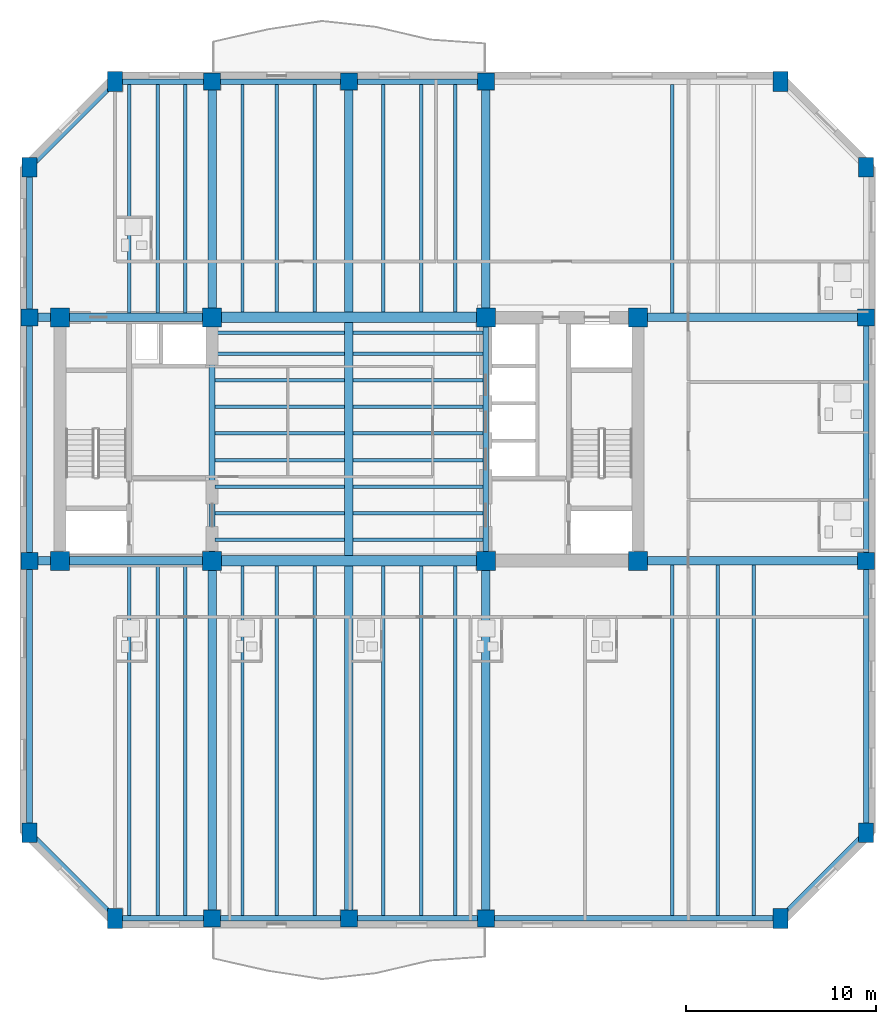
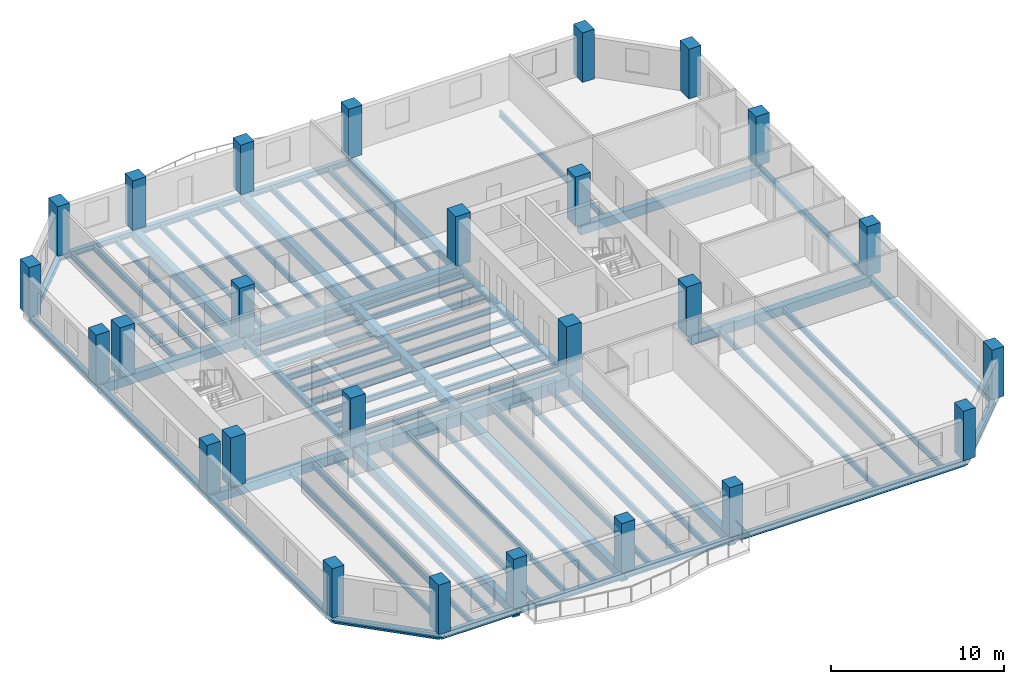
# One storey, part 1 of 10: 70 beams, 26 columns.
"""IFC4 building model written with IfcOpenShell, lengths in metres."""

from ifc_helpers import new_model, si_unit, direction, frame, origin, origin_2d, place, context, subcontext, project, spatial, rectangle, i_section, extrude, material, material_profile, profile_set, type_object, element, save


model = new_model("IFC4")

# Units and contexts
model_context = context("Model", 3, precision=1e-05, world=origin(), true_north=direction((0.0, 1.0)))
body_context = subcontext(model_context, "Body", "Model", "MODEL_VIEW")
ifc_project = project(units=[si_unit("LENGTHUNIT", "METRE"), si_unit("AREAUNIT", "SQUARE_METRE"), si_unit("VOLUMEUNIT", "CUBIC_METRE"), si_unit("PLANEANGLEUNIT", "RADIAN"), si_unit("MASSUNIT", "GRAM", prefix="KILO")], contexts=[model_context])

# Site, building, storey
site_placement = place(None, origin())
site = spatial("IfcSite", under=ifc_project, at=site_placement, CompositionType="ELEMENT")
building_placement = place(site_placement, origin())
building = spatial("IfcBuilding", under=site, at=building_placement, Name="Kranthara Brick Stack", CompositionType="ELEMENT")
storey_placement = place(building_placement, frame((0.0, 0.0, 151.800048828125)))
storey = spatial("IfcBuildingStorey", under=building, at=storey_placement, Name="L38", CompositionType="ELEMENT", Elevation=151.800048828125)

# Columns
ifc_material_1 = material(Name="Concrete C60/75", Category="concrete")
ifc_material_profile_1 = material_profile(ifc_material_1, rectangle(XDim=0.800048828125, YDim=1.050048828125, at=origin_2d()), Name="RC 800x1050")
ifc_profile_set_1 = profile_set([ifc_material_profile_1], Name="Concrete C60/75")
column_type_1 = type_object("IfcColumnType", Name="COL-CHAM-800x1050", PredefinedType="COLUMN", material=ifc_profile_set_1)
for number, where, z_axis, x_axis, name in (
    (1, (15.699951171875, 2.0, 0.0), (0.0, 0.0, 1.0), (1.0, 0.0, 0.0), "L38 Column 09"),
    (2, (15.699951171875, 46.0, 0.0), (0.0, 0.0, 1.0), (1.0, 0.0, 0.0), "L38 Column 10"),
    (3, (50.699951171875, 2.0, 0.0), (0.0, 0.0, 1.0), (1.0, 0.0, 0.0), "L38 Column 17"),
    (4, (50.699951171875, 46.0, 0.0), (0.0, 0.0, 1.0), (1.0, 0.0, 0.0), "L38 Column 18"),
    (5, (11.199951171875, 6.5, 0.0), (0.0, 0.0, 1.0), (1.0, 0.0, 0.0), "L38 Column 19"),
    (6, (55.199951171875, 6.5, 0.0), (0.0, 0.0, 1.0), (1.0, 0.0, 0.0), "L38 Column 20"),
    (7, (11.199951171875, 41.5, 0.0), (0.0, 0.0, 1.0), (1.0, 0.0, 0.0), "L38 Column 25"),
    (8, (55.199951171875, 41.5, 0.0), (0.0, 0.0, 1.0), (1.0, 0.0, 0.0), "L38 Column 26"),
):
    element("IfcColumn", number, at=place(storey_placement, frame(where, z_axis=z_axis, x_axis=x_axis)), inside=storey, type_object=column_type_1, Name=name, PredefinedType="COLUMN", context=body_context, shape_type="SweptSolid", body=[
        extrude(rectangle(XDim=0.800048828125, YDim=1.050048828125, at=origin_2d()), origin(), (0.0, 0.0, 1.0), 3.5),
    ])
ifc_material_2 = material(Name="Concrete C60/75", Category="concrete")
ifc_material_profile_2 = material_profile(ifc_material_2, rectangle(XDim=1.0, YDim=1.0, at=origin_2d()), Name="RC 1000x1000")
ifc_profile_set_2 = profile_set([ifc_material_profile_2], Name="Concrete C60/75")
column_type_2 = type_object("IfcColumnType", Name="COL-CORE-1000", PredefinedType="COLUMN", material=ifc_profile_set_2)
for number, where, z_axis, x_axis, name in (
    (9, (12.800048828125, 20.800048828125, 0.0), (0.0, 0.0, 1.0), (1.0, 0.0, 0.0), "L38 Column 01"),
    (10, (20.800048828125, 20.800048828125, 0.0), (0.0, 0.0, 1.0), (1.0, 0.0, 0.0), "L38 Column 02"),
    (11, (12.800048828125, 33.60009765625, 0.0), (0.0, 0.0, 1.0), (1.0, 0.0, 0.0), "L38 Column 03"),
    (12, (20.800048828125, 33.60009765625, 0.0), (0.0, 0.0, 1.0), (1.0, 0.0, 0.0), "L38 Column 04"),
    (13, (35.199951171875, 20.800048828125, 0.0), (0.0, 0.0, 1.0), (1.0, 0.0, 0.0), "L38 Column 05"),
    (14, (43.199951171875, 20.800048828125, 0.0), (0.0, 0.0, 1.0), (1.0, 0.0, 0.0), "L38 Column 06"),
    (15, (35.199951171875, 33.60009765625, 0.0), (0.0, 0.0, 1.0), (1.0, 0.0, 0.0), "L38 Column 07"),
    (16, (43.199951171875, 33.60009765625, 0.0), (0.0, 0.0, 1.0), (1.0, 0.0, 0.0), "L38 Column 08"),
):
    element("IfcColumn", number, at=place(storey_placement, frame(where, z_axis=z_axis, x_axis=x_axis)), inside=storey, type_object=column_type_2, Name=name, PredefinedType="COLUMN", context=body_context, shape_type="SweptSolid", body=[
        extrude(rectangle(XDim=1.0, YDim=1.0, at=origin_2d()), origin(), (0.0, 0.0, 1.0), 3.5),
    ])
ifc_material_3 = material(Name="Concrete C60/75", Category="concrete")
ifc_material_profile_3 = material_profile(ifc_material_3, rectangle(XDim=0.89990234375, YDim=0.89990234375, at=origin_2d()), Name="RC 900x900")
ifc_profile_set_3 = profile_set([ifc_material_profile_3], Name="Concrete C60/75")
column_type_3 = type_object("IfcColumnType", Name="COL-PER-900", PredefinedType="COLUMN", material=ifc_profile_set_3)
for number, where, z_axis, x_axis, name in (
    (17, (20.800048828125, 2.0, 0.0), (0.0, 0.0, 1.0), (1.0, 0.0, 0.0), "L38 Column 11"),
    (18, (20.800048828125, 46.0, 0.0), (0.0, 0.0, 1.0), (1.0, 0.0, 0.0), "L38 Column 12"),
    (19, (28.0, 2.0, 0.0), (0.0, 0.0, 1.0), (1.0, 0.0, 0.0), "L38 Column 13"),
    (20, (28.0, 46.0, 0.0), (0.0, 0.0, 1.0), (1.0, 0.0, 0.0), "L38 Column 14"),
    (21, (35.199951171875, 2.0, 0.0), (0.0, 0.0, 1.0), (1.0, 0.0, 0.0), "L38 Column 15"),
    (22, (35.199951171875, 46.0, 0.0), (0.0, 0.0, 1.0), (1.0, 0.0, 0.0), "L38 Column 16"),
    (23, (11.199951171875, 20.800048828125, 0.0), (0.0, 0.0, 1.0), (1.0, 0.0, 0.0), "L38 Column 21"),
    (24, (55.199951171875, 20.800048828125, 0.0), (0.0, 0.0, 1.0), (1.0, 0.0, 0.0), "L38 Column 22"),
    (25, (11.199951171875, 33.60009765625, 0.0), (0.0, 0.0, 1.0), (1.0, 0.0, 0.0), "L38 Column 23"),
    (26, (55.199951171875, 33.60009765625, 0.0), (0.0, 0.0, 1.0), (1.0, 0.0, 0.0), "L38 Column 24"),
):
    element("IfcColumn", number, at=place(storey_placement, frame(where, z_axis=z_axis, x_axis=x_axis)), inside=storey, type_object=column_type_3, Name=name, PredefinedType="COLUMN", context=body_context, shape_type="SweptSolid", body=[
        extrude(rectangle(XDim=0.89990234375, YDim=0.89990234375, at=origin_2d()), origin(), (0.0, 0.0, 1.0), 3.5),
    ])

# Beams
ifc_material_4 = material(Name="Concrete C50/60", Category="concrete")
ifc_material_profile_4 = material_profile(ifc_material_4, rectangle(XDim=0.550048828125, YDim=0.85009765625, at=origin_2d()), Name="RC 550x850")
ifc_profile_set_4 = profile_set([ifc_material_profile_4], Name="Concrete C50/60")
beam_type_1 = type_object("IfcBeamType", Name="BM-CPL-RC850", PredefinedType="LINTEL", material=ifc_profile_set_4)
for number, where, z_axis, x_axis, name in (
    (27, (20.800048828125, 20.800048828125, -0.72509765625), (1.0, 0.0, 0.0), (0.0, 1.0, 0.0), "L38 Core Coupling Beam 001"),
    (28, (20.800048828125, 33.60009765625, -0.72509765625), (1.0, 0.0, 0.0), (0.0, 1.0, 0.0), "L38 Core Coupling Beam 002"),
):
    element("IfcBeam", number, at=place(storey_placement, frame(where, z_axis=z_axis, x_axis=x_axis)), inside=storey, type_object=beam_type_1, Name=name, PredefinedType="LINTEL", context=body_context, shape_type="SweptSolid", body=[
        extrude(rectangle(XDim=0.550048828125, YDim=0.85009765625, at=origin_2d()), origin(), (0.0, 0.0, 1.0), 14.39990234375),
    ])
ifc_material_5 = material(Name="Post-tensioned concrete C45/55", Category="concrete")
ifc_material_profile_5 = material_profile(ifc_material_5, rectangle(XDim=0.449951171875, YDim=0.64990234375, at=origin_2d()), Name="PT 450x650")
ifc_profile_set_5 = profile_set([ifc_material_profile_5], Name="Post-tensioned concrete C45/55")
beam_type_2 = type_object("IfcBeamType", Name="BM-FLR-PT650", PredefinedType="BEAM", material=ifc_profile_set_5)
beam_1_placement = place(storey_placement, frame((20.800048828125, 2.0, -0.625), z_axis=(0.0, 1.0, 0.0), x_axis=(-1.0, 0.0, 0.0)))
element("IfcBeam", 29, at=beam_1_placement, inside=storey, type_object=beam_type_2, Name="L38 Primary Grid Girder 023", PredefinedType="BEAM", context=body_context, shape_type="SweptSolid", body=[
    extrude(rectangle(XDim=0.449951171875, YDim=0.64990234375, at=origin_2d()), origin(), (0.0, 0.0, 1.0), 18.800048828125),
])
beam_2_placement = place(storey_placement, frame((20.800048828125, 33.60009765625, -0.625), z_axis=(0.0, 1.0, 0.0), x_axis=(-1.0, 0.0, 0.0)))
element("IfcBeam", 30, at=beam_2_placement, inside=storey, type_object=beam_type_2, Name="L38 Primary Grid Girder 024", PredefinedType="BEAM", context=body_context, shape_type="SweptSolid", body=[
    extrude(rectangle(XDim=0.449951171875, YDim=0.64990234375, at=origin_2d()), origin(), (0.0, 0.0, 1.0), 12.39990234375),
])
beam_3_placement = place(storey_placement, frame((28.0, 2.0, -0.625), z_axis=(0.0, 1.0, 0.0), x_axis=(-1.0, 0.0, 0.0)))
element("IfcBeam", 31, at=beam_3_placement, inside=storey, type_object=beam_type_2, Name="L38 Primary Grid Girder 025", PredefinedType="BEAM", context=body_context, shape_type="SweptSolid", body=[
    extrude(rectangle(XDim=0.449951171875, YDim=0.64990234375, at=origin_2d()), origin(), (0.0, 0.0, 1.0), 18.52490234375),
])
beam_4_placement = place(storey_placement, frame((28.0, 21.074951171875, -0.625), z_axis=(0.0, 1.0, 0.0), x_axis=(-1.0, 0.0, 0.0)))
element("IfcBeam", 32, at=beam_4_placement, inside=storey, type_object=beam_type_2, Name="L38 Central Spine Girder 026", PredefinedType="BEAM", context=body_context, shape_type="SweptSolid", body=[
    extrude(rectangle(XDim=0.449951171875, YDim=0.64990234375, at=origin_2d()), origin(), (0.0, 0.0, 1.0), 12.25),
])
beam_5_placement = place(storey_placement, frame((28.0, 33.875, -0.625), z_axis=(0.0, 1.0, 0.0), x_axis=(-1.0, 0.0, 0.0)))
element("IfcBeam", 33, at=beam_5_placement, inside=storey, type_object=beam_type_2, Name="L38 Primary Grid Girder 027", PredefinedType="BEAM", context=body_context, shape_type="SweptSolid", body=[
    extrude(rectangle(XDim=0.449951171875, YDim=0.64990234375, at=origin_2d()), origin(), (0.0, 0.0, 1.0), 12.125),
])
beam_6_placement = place(storey_placement, frame((35.199951171875, 2.0, -0.625), z_axis=(0.0, 1.0, 0.0), x_axis=(-1.0, 0.0, 0.0)))
element("IfcBeam", 34, at=beam_6_placement, inside=storey, type_object=beam_type_2, Name="L38 Primary Grid Girder 028", PredefinedType="BEAM", context=body_context, shape_type="SweptSolid", body=[
    extrude(rectangle(XDim=0.449951171875, YDim=0.64990234375, at=origin_2d()), origin(), (0.0, 0.0, 1.0), 18.800048828125),
])
beam_7_placement = place(storey_placement, frame((35.199951171875, 33.60009765625, -0.625), z_axis=(0.0, 1.0, 0.0), x_axis=(-1.0, 0.0, 0.0)))
element("IfcBeam", 35, at=beam_7_placement, inside=storey, type_object=beam_type_2, Name="L38 Primary Grid Girder 029", PredefinedType="BEAM", context=body_context, shape_type="SweptSolid", body=[
    extrude(rectangle(XDim=0.449951171875, YDim=0.64990234375, at=origin_2d()), origin(), (0.0, 0.0, 1.0), 12.39990234375),
])
beam_8_placement = place(storey_placement, frame((11.199951171875, 20.800048828125, -0.625), z_axis=(1.0, 0.0, 0.0), x_axis=(0.0, 1.0, 0.0)))
element("IfcBeam", 36, at=beam_8_placement, inside=storey, type_object=beam_type_2, Name="L38 Primary Grid Girder 030", PredefinedType="BEAM", context=body_context, shape_type="SweptSolid", body=[
    extrude(rectangle(XDim=0.449951171875, YDim=0.64990234375, at=origin_2d()), origin(), (0.0, 0.0, 1.0), 9.60009765625),
])
beam_9_placement = place(storey_placement, frame((43.199951171875, 20.800048828125, -0.625), z_axis=(1.0, 0.0, 0.0), x_axis=(0.0, 1.0, 0.0)))
element("IfcBeam", 37, at=beam_9_placement, inside=storey, type_object=beam_type_2, Name="L38 Primary Grid Girder 031", PredefinedType="BEAM", context=body_context, shape_type="SweptSolid", body=[
    extrude(rectangle(XDim=0.449951171875, YDim=0.64990234375, at=origin_2d()), origin(), (0.0, 0.0, 1.0), 12.0),
])
beam_10_placement = place(storey_placement, frame((11.199951171875, 33.60009765625, -0.625), z_axis=(1.0, 0.0, 0.0), x_axis=(0.0, 1.0, 0.0)))
element("IfcBeam", 38, at=beam_10_placement, inside=storey, type_object=beam_type_2, Name="L38 Primary Grid Girder 032", PredefinedType="BEAM", context=body_context, shape_type="SweptSolid", body=[
    extrude(rectangle(XDim=0.449951171875, YDim=0.64990234375, at=origin_2d()), origin(), (0.0, 0.0, 1.0), 9.60009765625),
])
beam_11_placement = place(storey_placement, frame((43.199951171875, 33.60009765625, -0.625), z_axis=(1.0, 0.0, 0.0), x_axis=(0.0, 1.0, 0.0)))
element("IfcBeam", 39, at=beam_11_placement, inside=storey, type_object=beam_type_2, Name="L38 Primary Grid Girder 033", PredefinedType="BEAM", context=body_context, shape_type="SweptSolid", body=[
    extrude(rectangle(XDim=0.449951171875, YDim=0.64990234375, at=origin_2d()), origin(), (0.0, 0.0, 1.0), 12.0),
])
ifc_material_6 = material(Name="Steel S355", Category="steel")
ifc_material_profile_6 = material_profile(ifc_material_6, i_section(OverallWidth=0.179931640625, OverallDepth=0.39990234375, WebThickness=0.008544921875, FlangeThickness=0.013427734375, at=origin_2d()), Name="IPE 400")
ifc_profile_set_6 = profile_set([ifc_material_profile_6], Name="Steel S355")
beam_type_3 = type_object("IfcBeamType", Name="BM-JST-IPE400", PredefinedType="JOIST", material=ifc_profile_set_6)
for number, where, z_axis, x_axis, name in (
    (40, (20.949951171875, 21.89990234375, -0.5), (1.0, 0.0, 0.0), (0.0, 1.0, 0.0), "L38 Central Floor Joist 034"),
    (41, (28.22509765625, 21.89990234375, -0.5), (1.0, 0.0, 0.0), (0.0, 1.0, 0.0), "L38 Central Floor Joist 035"),
    (42, (20.949951171875, 23.300048828125, -0.5), (1.0, 0.0, 0.0), (0.0, 1.0, 0.0), "L38 Central Floor Joist 036"),
    (43, (28.22509765625, 23.300048828125, -0.5), (1.0, 0.0, 0.0), (0.0, 1.0, 0.0), "L38 Central Floor Joist 037"),
    (44, (20.949951171875, 24.699951171875, -0.5), (1.0, 0.0, 0.0), (0.0, 1.0, 0.0), "L38 Central Floor Joist 038"),
    (45, (28.22509765625, 24.699951171875, -0.5), (1.0, 0.0, 0.0), (0.0, 1.0, 0.0), "L38 Central Floor Joist 039"),
    (46, (20.949951171875, 26.10009765625, -0.5), (1.0, 0.0, 0.0), (0.0, 1.0, 0.0), "L38 Central Floor Joist 040"),
    (47, (28.22509765625, 26.10009765625, -0.5), (1.0, 0.0, 0.0), (0.0, 1.0, 0.0), "L38 Central Floor Joist 041"),
    (48, (20.949951171875, 27.5, -0.5), (1.0, 0.0, 0.0), (0.0, 1.0, 0.0), "L38 Central Floor Joist 042"),
    (49, (28.22509765625, 27.5, -0.5), (1.0, 0.0, 0.0), (0.0, 1.0, 0.0), "L38 Central Floor Joist 043"),
    (50, (20.949951171875, 28.89990234375, -0.5), (1.0, 0.0, 0.0), (0.0, 1.0, 0.0), "L38 Central Floor Joist 044"),
    (51, (28.22509765625, 28.89990234375, -0.5), (1.0, 0.0, 0.0), (0.0, 1.0, 0.0), "L38 Central Floor Joist 045"),
    (52, (20.949951171875, 30.300048828125, -0.5), (1.0, 0.0, 0.0), (0.0, 1.0, 0.0), "L38 Central Floor Joist 046"),
    (53, (28.22509765625, 30.300048828125, -0.5), (1.0, 0.0, 0.0), (0.0, 1.0, 0.0), "L38 Central Floor Joist 047"),
    (54, (20.949951171875, 31.699951171875, -0.5), (1.0, 0.0, 0.0), (0.0, 1.0, 0.0), "L38 Central Floor Joist 048"),
    (55, (28.22509765625, 31.699951171875, -0.5), (1.0, 0.0, 0.0), (0.0, 1.0, 0.0), "L38 Central Floor Joist 049"),
    (56, (20.949951171875, 32.800048828125, -0.5), (1.0, 0.0, 0.0), (0.0, 1.0, 0.0), "L38 Central Floor Joist 050"),
    (57, (28.22509765625, 32.800048828125, -0.5), (1.0, 0.0, 0.0), (0.0, 1.0, 0.0), "L38 Central Floor Joist 051"),
):
    element("IfcBeam", number, at=place(storey_placement, frame(where, z_axis=z_axis, x_axis=x_axis)), inside=storey, type_object=beam_type_3, Name=name, PredefinedType="JOIST", context=body_context, shape_type="SweptSolid", body=[
        extrude(i_section(OverallWidth=0.179931640625, OverallDepth=0.39990234375, WebThickness=0.008544921875, FlangeThickness=0.013427734375, at=origin_2d()), origin(), (0.0, 0.0, 1.0), 6.824951171875),
    ])
beam_12_placement = place(storey_placement, frame((16.449951171875, 2.14990234375, -0.5), z_axis=(0.0, 1.0, 0.0), x_axis=(-1.0, 0.0, 0.0)))
element("IfcBeam", 58, at=beam_12_placement, inside=storey, type_object=beam_type_3, Name="L38 South Wing Floor Joist 052", PredefinedType="JOIST", context=body_context, shape_type="SweptSolid", body=[
    extrude(i_section(OverallWidth=0.179931640625, OverallDepth=0.39990234375, WebThickness=0.008544921875, FlangeThickness=0.013427734375, at=origin_2d()), origin(), (0.0, 0.0, 1.0), 18.425048828125),
])
beam_13_placement = place(storey_placement, frame((16.449951171875, 33.824951171875, -0.5), z_axis=(0.0, 1.0, 0.0), x_axis=(-1.0, 0.0, 0.0)))
element("IfcBeam", 59, at=beam_13_placement, inside=storey, type_object=beam_type_3, Name="L38 North Wing Floor Joist 053", PredefinedType="JOIST", context=body_context, shape_type="SweptSolid", body=[
    extrude(i_section(OverallWidth=0.179931640625, OverallDepth=0.39990234375, WebThickness=0.008544921875, FlangeThickness=0.013427734375, at=origin_2d()), origin(), (0.0, 0.0, 1.0), 12.025146484375),
])
beam_14_placement = place(storey_placement, frame((17.949951171875, 2.14990234375, -0.5), z_axis=(0.0, 1.0, 0.0), x_axis=(-1.0, 0.0, 0.0)))
element("IfcBeam", 60, at=beam_14_placement, inside=storey, type_object=beam_type_3, Name="L38 South Wing Floor Joist 054", PredefinedType="JOIST", context=body_context, shape_type="SweptSolid", body=[
    extrude(i_section(OverallWidth=0.179931640625, OverallDepth=0.39990234375, WebThickness=0.008544921875, FlangeThickness=0.013427734375, at=origin_2d()), origin(), (0.0, 0.0, 1.0), 18.425048828125),
])
beam_15_placement = place(storey_placement, frame((17.949951171875, 33.824951171875, -0.5), z_axis=(0.0, 1.0, 0.0), x_axis=(-1.0, 0.0, 0.0)))
element("IfcBeam", 61, at=beam_15_placement, inside=storey, type_object=beam_type_3, Name="L38 North Wing Floor Joist 055", PredefinedType="JOIST", context=body_context, shape_type="SweptSolid", body=[
    extrude(i_section(OverallWidth=0.179931640625, OverallDepth=0.39990234375, WebThickness=0.008544921875, FlangeThickness=0.013427734375, at=origin_2d()), origin(), (0.0, 0.0, 1.0), 12.025146484375),
])
beam_16_placement = place(storey_placement, frame((19.39990234375, 2.14990234375, -0.5), z_axis=(0.0, 1.0, 0.0), x_axis=(-1.0, 0.0, 0.0)))
element("IfcBeam", 62, at=beam_16_placement, inside=storey, type_object=beam_type_3, Name="L38 South Wing Floor Joist 056", PredefinedType="JOIST", context=body_context, shape_type="SweptSolid", body=[
    extrude(i_section(OverallWidth=0.179931640625, OverallDepth=0.39990234375, WebThickness=0.008544921875, FlangeThickness=0.013427734375, at=origin_2d()), origin(), (0.0, 0.0, 1.0), 18.425048828125),
])
beam_17_placement = place(storey_placement, frame((19.39990234375, 33.824951171875, -0.5), z_axis=(0.0, 1.0, 0.0), x_axis=(-1.0, 0.0, 0.0)))
element("IfcBeam", 63, at=beam_17_placement, inside=storey, type_object=beam_type_3, Name="L38 North Wing Floor Joist 057", PredefinedType="JOIST", context=body_context, shape_type="SweptSolid", body=[
    extrude(i_section(OverallWidth=0.179931640625, OverallDepth=0.39990234375, WebThickness=0.008544921875, FlangeThickness=0.013427734375, at=origin_2d()), origin(), (0.0, 0.0, 1.0), 12.025146484375),
])
beam_18_placement = place(storey_placement, frame((22.39990234375, 2.14990234375, -0.5), z_axis=(0.0, 1.0, 0.0), x_axis=(-1.0, 0.0, 0.0)))
element("IfcBeam", 64, at=beam_18_placement, inside=storey, type_object=beam_type_3, Name="L38 South Wing Floor Joist 058", PredefinedType="JOIST", context=body_context, shape_type="SweptSolid", body=[
    extrude(i_section(OverallWidth=0.179931640625, OverallDepth=0.39990234375, WebThickness=0.008544921875, FlangeThickness=0.013427734375, at=origin_2d()), origin(), (0.0, 0.0, 1.0), 18.375),
])
beam_19_placement = place(storey_placement, frame((22.39990234375, 33.875, -0.5), z_axis=(0.0, 1.0, 0.0), x_axis=(-1.0, 0.0, 0.0)))
element("IfcBeam", 65, at=beam_19_placement, inside=storey, type_object=beam_type_3, Name="L38 North Wing Floor Joist 059", PredefinedType="JOIST", context=body_context, shape_type="SweptSolid", body=[
    extrude(i_section(OverallWidth=0.179931640625, OverallDepth=0.39990234375, WebThickness=0.008544921875, FlangeThickness=0.013427734375, at=origin_2d()), origin(), (0.0, 0.0, 1.0), 11.97509765625),
])
beam_20_placement = place(storey_placement, frame((24.199951171875, 2.14990234375, -0.5), z_axis=(0.0, 1.0, 0.0), x_axis=(-1.0, 0.0, 0.0)))
element("IfcBeam", 66, at=beam_20_placement, inside=storey, type_object=beam_type_3, Name="L38 South Wing Floor Joist 060", PredefinedType="JOIST", context=body_context, shape_type="SweptSolid", body=[
    extrude(i_section(OverallWidth=0.179931640625, OverallDepth=0.39990234375, WebThickness=0.008544921875, FlangeThickness=0.013427734375, at=origin_2d()), origin(), (0.0, 0.0, 1.0), 18.375),
])
beam_21_placement = place(storey_placement, frame((24.199951171875, 33.875, -0.5), z_axis=(0.0, 1.0, 0.0), x_axis=(-1.0, 0.0, 0.0)))
element("IfcBeam", 67, at=beam_21_placement, inside=storey, type_object=beam_type_3, Name="L38 North Wing Floor Joist 061", PredefinedType="JOIST", context=body_context, shape_type="SweptSolid", body=[
    extrude(i_section(OverallWidth=0.179931640625, OverallDepth=0.39990234375, WebThickness=0.008544921875, FlangeThickness=0.013427734375, at=origin_2d()), origin(), (0.0, 0.0, 1.0), 11.97509765625),
])
beam_22_placement = place(storey_placement, frame((26.199951171875, 2.14990234375, -0.5), z_axis=(0.0, 1.0, 0.0), x_axis=(-1.0, 0.0, 0.0)))
element("IfcBeam", 68, at=beam_22_placement, inside=storey, type_object=beam_type_3, Name="L38 South Wing Floor Joist 062", PredefinedType="JOIST", context=body_context, shape_type="SweptSolid", body=[
    extrude(i_section(OverallWidth=0.179931640625, OverallDepth=0.39990234375, WebThickness=0.008544921875, FlangeThickness=0.013427734375, at=origin_2d()), origin(), (0.0, 0.0, 1.0), 18.375),
])
beam_23_placement = place(storey_placement, frame((26.199951171875, 33.875, -0.5), z_axis=(0.0, 1.0, 0.0), x_axis=(-1.0, 0.0, 0.0)))
element("IfcBeam", 69, at=beam_23_placement, inside=storey, type_object=beam_type_3, Name="L38 North Wing Floor Joist 063", PredefinedType="JOIST", context=body_context, shape_type="SweptSolid", body=[
    extrude(i_section(OverallWidth=0.179931640625, OverallDepth=0.39990234375, WebThickness=0.008544921875, FlangeThickness=0.013427734375, at=origin_2d()), origin(), (0.0, 0.0, 1.0), 11.97509765625),
])
beam_24_placement = place(storey_placement, frame((29.800048828125, 2.14990234375, -0.5), z_axis=(0.0, 1.0, 0.0), x_axis=(-1.0, 0.0, 0.0)))
element("IfcBeam", 70, at=beam_24_placement, inside=storey, type_object=beam_type_3, Name="L38 South Wing Floor Joist 064", PredefinedType="JOIST", context=body_context, shape_type="SweptSolid", body=[
    extrude(i_section(OverallWidth=0.179931640625, OverallDepth=0.39990234375, WebThickness=0.008544921875, FlangeThickness=0.013427734375, at=origin_2d()), origin(), (0.0, 0.0, 1.0), 18.375),
])
beam_25_placement = place(storey_placement, frame((29.800048828125, 33.875, -0.5), z_axis=(0.0, 1.0, 0.0), x_axis=(-1.0, 0.0, 0.0)))
element("IfcBeam", 71, at=beam_25_placement, inside=storey, type_object=beam_type_3, Name="L38 North Wing Floor Joist 065", PredefinedType="JOIST", context=body_context, shape_type="SweptSolid", body=[
    extrude(i_section(OverallWidth=0.179931640625, OverallDepth=0.39990234375, WebThickness=0.008544921875, FlangeThickness=0.013427734375, at=origin_2d()), origin(), (0.0, 0.0, 1.0), 11.97509765625),
])
beam_26_placement = place(storey_placement, frame((31.800048828125, 2.14990234375, -0.5), z_axis=(0.0, 1.0, 0.0), x_axis=(-1.0, 0.0, 0.0)))
element("IfcBeam", 72, at=beam_26_placement, inside=storey, type_object=beam_type_3, Name="L38 South Wing Floor Joist 066", PredefinedType="JOIST", context=body_context, shape_type="SweptSolid", body=[
    extrude(i_section(OverallWidth=0.179931640625, OverallDepth=0.39990234375, WebThickness=0.008544921875, FlangeThickness=0.013427734375, at=origin_2d()), origin(), (0.0, 0.0, 1.0), 18.375),
])
beam_27_placement = place(storey_placement, frame((31.800048828125, 33.875, -0.5), z_axis=(0.0, 1.0, 0.0), x_axis=(-1.0, 0.0, 0.0)))
element("IfcBeam", 73, at=beam_27_placement, inside=storey, type_object=beam_type_3, Name="L38 North Wing Floor Joist 067", PredefinedType="JOIST", context=body_context, shape_type="SweptSolid", body=[
    extrude(i_section(OverallWidth=0.179931640625, OverallDepth=0.39990234375, WebThickness=0.008544921875, FlangeThickness=0.013427734375, at=origin_2d()), origin(), (0.0, 0.0, 1.0), 11.97509765625),
])
beam_28_placement = place(storey_placement, frame((33.60009765625, 2.14990234375, -0.5), z_axis=(0.0, 1.0, 0.0), x_axis=(-1.0, 0.0, 0.0)))
element("IfcBeam", 74, at=beam_28_placement, inside=storey, type_object=beam_type_3, Name="L38 South Wing Floor Joist 068", PredefinedType="JOIST", context=body_context, shape_type="SweptSolid", body=[
    extrude(i_section(OverallWidth=0.179931640625, OverallDepth=0.39990234375, WebThickness=0.008544921875, FlangeThickness=0.013427734375, at=origin_2d()), origin(), (0.0, 0.0, 1.0), 18.375),
])
beam_29_placement = place(storey_placement, frame((33.60009765625, 33.875, -0.5), z_axis=(0.0, 1.0, 0.0), x_axis=(-1.0, 0.0, 0.0)))
element("IfcBeam", 75, at=beam_29_placement, inside=storey, type_object=beam_type_3, Name="L38 North Wing Floor Joist 069", PredefinedType="JOIST", context=body_context, shape_type="SweptSolid", body=[
    extrude(i_section(OverallWidth=0.179931640625, OverallDepth=0.39990234375, WebThickness=0.008544921875, FlangeThickness=0.013427734375, at=origin_2d()), origin(), (0.0, 0.0, 1.0), 11.97509765625),
])
beam_30_placement = place(storey_placement, frame((45.0, 2.14990234375, -0.5), z_axis=(0.0, 1.0, 0.0), x_axis=(-1.0, 0.0, 0.0)))
element("IfcBeam", 76, at=beam_30_placement, inside=storey, type_object=beam_type_3, Name="L38 South Wing Floor Joist 070", PredefinedType="JOIST", context=body_context, shape_type="SweptSolid", body=[
    extrude(i_section(OverallWidth=0.179931640625, OverallDepth=0.39990234375, WebThickness=0.008544921875, FlangeThickness=0.013427734375, at=origin_2d()), origin(), (0.0, 0.0, 1.0), 18.425048828125),
])
beam_31_placement = place(storey_placement, frame((45.0, 33.824951171875, -0.5), z_axis=(0.0, 1.0, 0.0), x_axis=(-1.0, 0.0, 0.0)))
element("IfcBeam", 77, at=beam_31_placement, inside=storey, type_object=beam_type_3, Name="L38 North Wing Floor Joist 071", PredefinedType="JOIST", context=body_context, shape_type="SweptSolid", body=[
    extrude(i_section(OverallWidth=0.179931640625, OverallDepth=0.39990234375, WebThickness=0.008544921875, FlangeThickness=0.013427734375, at=origin_2d()), origin(), (0.0, 0.0, 1.0), 12.025146484375),
])
for number, where, z_axis, x_axis, name in (
    (78, (47.39990234375, 2.14990234375, -0.5), (0.0, 1.0, 0.0), (-1.0, 0.0, 0.0), "L38 South Wing Floor Joist 072"),
    (79, (49.300048828125, 2.14990234375, -0.5), (0.0, 1.0, 0.0), (-1.0, 0.0, 0.0), "L38 South Wing Floor Joist 074"),
):
    element("IfcBeam", number, at=place(storey_placement, frame(where, z_axis=z_axis, x_axis=x_axis)), inside=storey, type_object=beam_type_3, Name=name, PredefinedType="JOIST", context=body_context, shape_type="SweptSolid", body=[
        extrude(i_section(OverallWidth=0.179931640625, OverallDepth=0.39990234375, WebThickness=0.008544921875, FlangeThickness=0.013427734375, at=origin_2d()), origin(), (0.0, 0.0, 1.0), 18.425048828125),
    ])
ifc_material_7 = material(Name="Steel S355", Category="steel")
ifc_material_profile_7 = material_profile(ifc_material_7, i_section(OverallWidth=0.300048828125, OverallDepth=0.39990234375, WebThickness=0.013427734375, FlangeThickness=0.02392578125, at=origin_2d()), Name="HEB 400")
ifc_profile_set_7 = profile_set([ifc_material_profile_7], Name="Steel S355")
beam_type_4 = type_object("IfcBeamType", Name="BM-STL-HEB400", PredefinedType="SPANDREL", material=ifc_profile_set_7)
beam_32_placement = place(storey_placement, frame((15.699951171875, 2.0, -0.5), z_axis=(1.0, 0.0, 0.0), x_axis=(0.0, 1.0, 0.0)))
element("IfcBeam", 80, at=beam_32_placement, inside=storey, type_object=beam_type_4, Name="L38 Perimeter Spandrel Beam 005", PredefinedType="SPANDREL", context=body_context, shape_type="SweptSolid", body=[
    extrude(i_section(OverallWidth=0.300048828125, OverallDepth=0.39990234375, WebThickness=0.013427734375, FlangeThickness=0.02392578125, at=origin_2d()), origin(), (0.0, 0.0, 1.0), 5.10009765625),
])
for number, where, z_axis, x_axis, name in (
    (81, (20.800048828125, 2.0, -0.5), (1.0, 0.0, 0.0), (0.0, 1.0, 0.0), "L38 Perimeter Spandrel Beam 006"),
    (82, (28.0, 2.0, -0.5), (1.0, 0.0, 0.0), (0.0, 1.0, 0.0), "L38 Perimeter Spandrel Beam 007"),
):
    element("IfcBeam", number, at=place(storey_placement, frame(where, z_axis=z_axis, x_axis=x_axis)), inside=storey, type_object=beam_type_4, Name=name, PredefinedType="SPANDREL", context=body_context, shape_type="SweptSolid", body=[
        extrude(i_section(OverallWidth=0.300048828125, OverallDepth=0.39990234375, WebThickness=0.013427734375, FlangeThickness=0.02392578125, at=origin_2d()), origin(), (0.0, 0.0, 1.0), 7.199951171875),
    ])
beam_33_placement = place(storey_placement, frame((35.199951171875, 2.0, -0.5), z_axis=(1.0, 0.0, 0.0), x_axis=(0.0, 1.0, 0.0)))
element("IfcBeam", 83, at=beam_33_placement, inside=storey, type_object=beam_type_4, Name="L38 Perimeter Spandrel Beam 008", PredefinedType="SPANDREL", context=body_context, shape_type="SweptSolid", body=[
    extrude(i_section(OverallWidth=0.300048828125, OverallDepth=0.39990234375, WebThickness=0.013427734375, FlangeThickness=0.02392578125, at=origin_2d()), origin(), (0.0, 0.0, 1.0), 15.5),
])
beam_34_placement = place(storey_placement, frame((15.699951171875, 46.0, -0.5), z_axis=(1.0, 0.0, 0.0), x_axis=(0.0, 1.0, 0.0)))
element("IfcBeam", 84, at=beam_34_placement, inside=storey, type_object=beam_type_4, Name="L38 Perimeter Spandrel Beam 009", PredefinedType="SPANDREL", context=body_context, shape_type="SweptSolid", body=[
    extrude(i_section(OverallWidth=0.300048828125, OverallDepth=0.39990234375, WebThickness=0.013427734375, FlangeThickness=0.02392578125, at=origin_2d()), origin(), (0.0, 0.0, 1.0), 5.10009765625),
])
for number, where, z_axis, x_axis, name in (
    (85, (20.800048828125, 46.0, -0.5), (1.0, 0.0, 0.0), (0.0, 1.0, 0.0), "L38 Perimeter Spandrel Beam 010"),
    (86, (28.0, 46.0, -0.5), (1.0, 0.0, 0.0), (0.0, 1.0, 0.0), "L38 Perimeter Spandrel Beam 011"),
):
    element("IfcBeam", number, at=place(storey_placement, frame(where, z_axis=z_axis, x_axis=x_axis)), inside=storey, type_object=beam_type_4, Name=name, PredefinedType="SPANDREL", context=body_context, shape_type="SweptSolid", body=[
        extrude(i_section(OverallWidth=0.300048828125, OverallDepth=0.39990234375, WebThickness=0.013427734375, FlangeThickness=0.02392578125, at=origin_2d()), origin(), (0.0, 0.0, 1.0), 7.199951171875),
    ])
beam_35_placement = place(storey_placement, frame((11.199951171875, 6.5, -0.5), z_axis=(0.0, 1.0, 0.0), x_axis=(-1.0, 0.0, 0.0)))
element("IfcBeam", 87, at=beam_35_placement, inside=storey, type_object=beam_type_4, Name="L38 Perimeter Spandrel Beam 013", PredefinedType="SPANDREL", context=body_context, shape_type="SweptSolid", body=[
    extrude(i_section(OverallWidth=0.300048828125, OverallDepth=0.39990234375, WebThickness=0.013427734375, FlangeThickness=0.02392578125, at=origin_2d()), origin(), (0.0, 0.0, 1.0), 14.300048828125),
])
beam_36_placement = place(storey_placement, frame((11.199951171875, 20.800048828125, -0.5), z_axis=(0.0, 1.0, 0.0), x_axis=(-1.0, 0.0, 0.0)))
element("IfcBeam", 88, at=beam_36_placement, inside=storey, type_object=beam_type_4, Name="L38 Perimeter Spandrel Beam 014", PredefinedType="SPANDREL", context=body_context, shape_type="SweptSolid", body=[
    extrude(i_section(OverallWidth=0.300048828125, OverallDepth=0.39990234375, WebThickness=0.013427734375, FlangeThickness=0.02392578125, at=origin_2d()), origin(), (0.0, 0.0, 1.0), 12.800048828125),
])
beam_37_placement = place(storey_placement, frame((11.199951171875, 33.60009765625, -0.5), z_axis=(0.0, 1.0, 0.0), x_axis=(-1.0, 0.0, 0.0)))
element("IfcBeam", 89, at=beam_37_placement, inside=storey, type_object=beam_type_4, Name="L38 Perimeter Spandrel Beam 015", PredefinedType="SPANDREL", context=body_context, shape_type="SweptSolid", body=[
    extrude(i_section(OverallWidth=0.300048828125, OverallDepth=0.39990234375, WebThickness=0.013427734375, FlangeThickness=0.02392578125, at=origin_2d()), origin(), (0.0, 0.0, 1.0), 7.89990234375),
])
beam_38_placement = place(storey_placement, frame((55.199951171875, 6.5, -0.5), z_axis=(0.0, 1.0, 0.0), x_axis=(-1.0, 0.0, 0.0)))
element("IfcBeam", 90, at=beam_38_placement, inside=storey, type_object=beam_type_4, Name="L38 Perimeter Spandrel Beam 016", PredefinedType="SPANDREL", context=body_context, shape_type="SweptSolid", body=[
    extrude(i_section(OverallWidth=0.300048828125, OverallDepth=0.39990234375, WebThickness=0.013427734375, FlangeThickness=0.02392578125, at=origin_2d()), origin(), (0.0, 0.0, 1.0), 14.300048828125),
])
beam_39_placement = place(storey_placement, frame((55.199951171875, 20.800048828125, -0.5), z_axis=(0.0, 1.0, 0.0), x_axis=(-1.0, 0.0, 0.0)))
element("IfcBeam", 91, at=beam_39_placement, inside=storey, type_object=beam_type_4, Name="L38 Perimeter Spandrel Beam 017", PredefinedType="SPANDREL", context=body_context, shape_type="SweptSolid", body=[
    extrude(i_section(OverallWidth=0.300048828125, OverallDepth=0.39990234375, WebThickness=0.013427734375, FlangeThickness=0.02392578125, at=origin_2d()), origin(), (0.0, 0.0, 1.0), 12.800048828125),
])
for number, where, z_axis, x_axis, name in (
    (92, (15.699951171875, 2.0, -0.5), (-0.707106781187, 0.707106781187, 0.0), (-0.707106781187, -0.707106781187, 0.0), "L38 Chamfer Corner Spandrel 019"),
    (93, (50.699951171875, 2.0, -0.5), (0.707106781187, 0.707106781187, 0.0), (-0.707106781187, 0.707106781187, 0.0), "L38 Chamfer Corner Spandrel 020"),
    (94, (15.699951171875, 46.0, -0.5), (-0.707106781187, -0.707106781187, 0.0), (0.707106781187, -0.707106781187, 0.0), "L38 Chamfer Corner Spandrel 021"),
):
    element("IfcBeam", number, at=place(storey_placement, frame(where, z_axis=z_axis, x_axis=x_axis)), inside=storey, type_object=beam_type_4, Name=name, PredefinedType="SPANDREL", context=body_context, shape_type="SweptSolid", body=[
        extrude(i_section(OverallWidth=0.300048828125, OverallDepth=0.39990234375, WebThickness=0.013427734375, FlangeThickness=0.02392578125, at=origin_2d()), origin(), (0.0, 0.0, 1.0), 6.364013671875),
    ])
ifc_material_8 = material(Name="Steel S355", Category="steel")
ifc_material_profile_8 = material_profile(ifc_material_8, i_section(OverallWidth=0.300048828125, OverallDepth=0.449951171875, WebThickness=0.013916015625, FlangeThickness=0.02587890625, at=origin_2d()), Name="HEB 450")
ifc_profile_set_8 = profile_set([ifc_material_profile_8], Name="Steel S355")
beam_type_5 = type_object("IfcBeamType", Name="BM-STL-HEB450", PredefinedType="SPANDREL", material=ifc_profile_set_8)
for number, where, z_axis, x_axis, name in (
    (95, (20.800048828125, 20.800048828125, -0.525146484375), (0.0, 1.0, 0.0), (-1.0, 0.0, 0.0), "L38 Core Edge Tie Beam 003"),
    (96, (35.199951171875, 20.800048828125, -0.525146484375), (0.0, 1.0, 0.0), (-1.0, 0.0, 0.0), "L38 Core Edge Tie Beam 004"),
):
    element("IfcBeam", number, at=place(storey_placement, frame(where, z_axis=z_axis, x_axis=x_axis)), inside=storey, type_object=beam_type_5, Name=name, PredefinedType="SPANDREL", context=body_context, shape_type="SweptSolid", body=[
        extrude(i_section(OverallWidth=0.300048828125, OverallDepth=0.449951171875, WebThickness=0.013916015625, FlangeThickness=0.02587890625, at=origin_2d()), origin(), (0.0, 0.0, 1.0), 12.800048828125),
    ])

save(model, "model.ifc")
